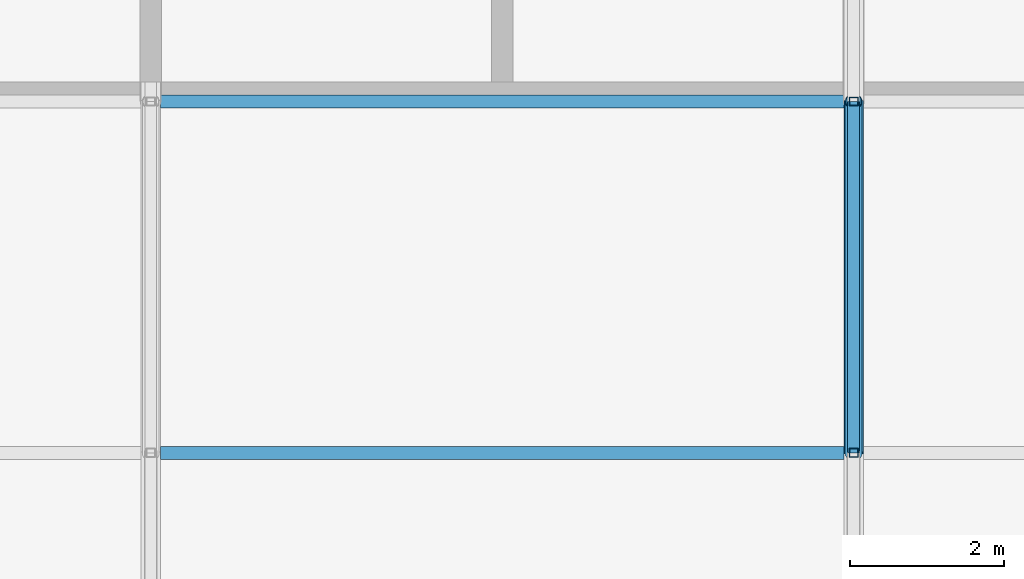
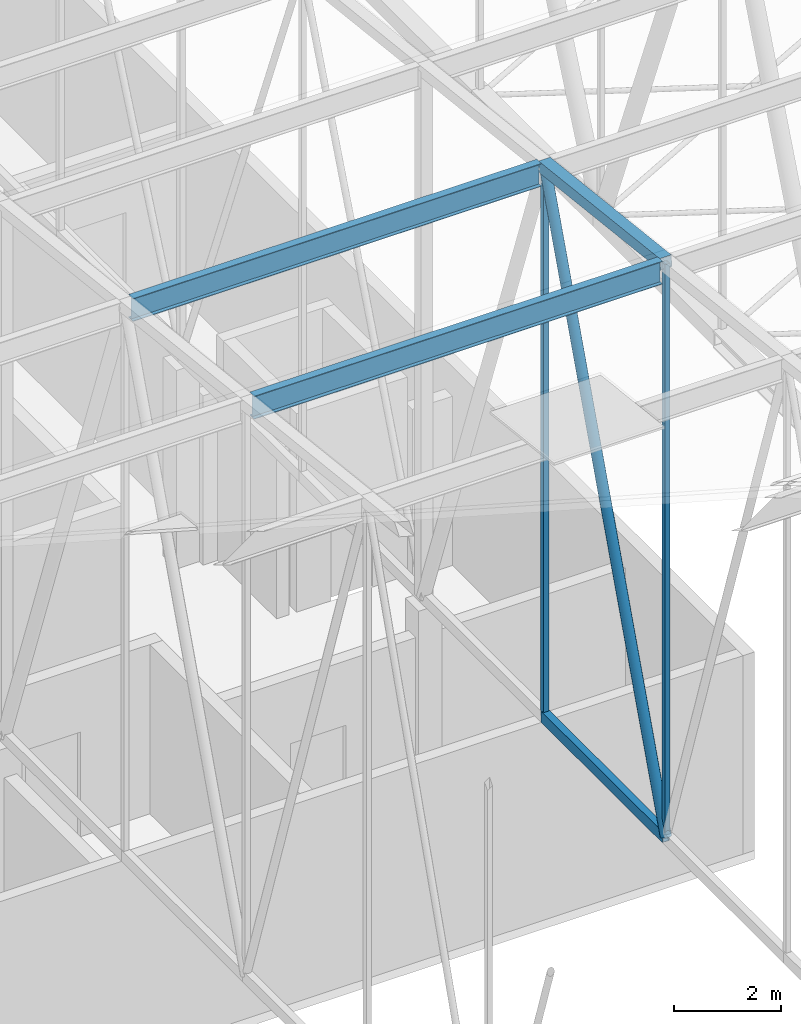
# One storey, part 198 of 500: 7 members.
"""IFC4 building model written with IfcOpenShell, lengths in metres."""

from ifc_helpers import new_model, si_unit, direction, frame, origin, origin_2d, place, context, subcontext, project, spatial, hollow_rectangle, hollow_circle, i_section, extrude, material, material_profile, profile_set, type_object, element, save


model = new_model("IFC4")

# Units and contexts
model_context = context("Model", 3, precision=1e-05, world=origin(), true_north=direction((0.0, 1.0)))
body_context = subcontext(model_context, "Body", "Model", "MODEL_VIEW")
ifc_project = project(units=[si_unit("LENGTHUNIT", "METRE"), si_unit("AREAUNIT", "SQUARE_METRE"), si_unit("VOLUMEUNIT", "CUBIC_METRE"), si_unit("PLANEANGLEUNIT", "RADIAN"), si_unit("MASSUNIT", "GRAM", prefix="KILO")], contexts=[model_context])

# Site, building, storey
site_placement = place(None, origin())
site = spatial("IfcSite", under=ifc_project, at=site_placement, CompositionType="ELEMENT")
building_placement = place(site_placement, origin())
building = spatial("IfcBuilding", under=site, at=building_placement, Name="Shirokan Park Arena", CompositionType="ELEMENT")
storey_placement = place(building_placement, frame((0.0, 0.0, 29.1201171875)))
storey = spatial("IfcBuildingStorey", under=building, at=storey_placement, Name="L06", CompositionType="ELEMENT", Elevation=29.1201171875)

# Members
ifc_material_1 = material(Name="Steel ASTM A500 Grade C", Category="steel")
ifc_material_profile_1 = material_profile(ifc_material_1, hollow_rectangle(XDim=0.152099609375, YDim=0.25390625, WallThickness=0.009521484375, at=origin_2d()), Name="HSS254X152.4X9.5")
ifc_profile_set_1 = profile_set([ifc_material_profile_1], Name="Steel ASTM A500 Grade C")
member_type_1 = type_object("IfcMemberType", Name="Bottom chord HSS254X152.4X9.5", PredefinedType="CHORD", material=ifc_profile_set_1)
member_1_placement = place(storey_placement, frame((36.39990234375, 63.699951171875, 4.677001953125), z_axis=(0.0, 1.0, 0.0), x_axis=(-1.0, 0.0, 0.0)))
element("IfcMember", 1, at=member_1_placement, inside=storey, type_object=member_type_1, Name="Truss T05 bottom chord 17", PredefinedType="CHORD", context=body_context, shape_type="SweptSolid", body=[
    extrude(hollow_rectangle(XDim=0.152099609375, YDim=0.25390625, WallThickness=0.009521484375, at=origin_2d()), origin(), (0.0, 0.0, 1.0), 4.550048828125),
])
ifc_material_2 = material(Name="Steel ASTM A992", Category="steel")
ifc_material_profile_2 = material_profile(ifc_material_2, i_section(OverallWidth=0.166015625, OverallDepth=0.528076171875, WebThickness=0.009765625, FlangeThickness=0.013671875, at=origin_2d()), Name="W530X74")
ifc_profile_set_2 = profile_set([ifc_material_profile_2], Name="Steel ASTM A992")
member_type_2 = type_object("IfcMemberType", Name="Purlin W530X74", PredefinedType="PURLIN", material=ifc_profile_set_2)
for number, where, z_axis, x_axis, name in (
    (2, (27.427001953125, 63.699951171875, 17.685791015625), (1.0, 0.0, 0.0), (0.0, 1.0, 0.0), "Purlin 17 bay 4"),
    (3, (27.427001953125, 68.25, 17.165771484375), (1.0, 0.0, 0.0), (0.0, 1.0, 0.0), "Purlin 18 bay 4"),
):
    element("IfcMember", number, at=place(storey_placement, frame(where, z_axis=z_axis, x_axis=x_axis)), inside=storey, type_object=member_type_2, Name=name, PredefinedType="PURLIN", context=body_context, shape_type="SweptSolid", body=[
        extrude(i_section(OverallWidth=0.166015625, OverallDepth=0.528076171875, WebThickness=0.009765625, FlangeThickness=0.013671875, at=origin_2d()), origin(), (0.0, 0.0, 1.0), 8.845947265625),
    ])
ifc_material_profile_3 = material_profile(ifc_material_1, hollow_rectangle(XDim=0.25390625, YDim=0.25390625, WallThickness=0.009521484375, at=origin_2d()), Name="HSS254X254X9.5")
ifc_profile_set_3 = profile_set([ifc_material_profile_3], Name="Steel ASTM A500 Grade C")
member_type_3 = type_object("IfcMemberType", Name="Top chord HSS254X254X9.5", PredefinedType="CHORD", material=ifc_profile_set_3)
member_2_placement = place(storey_placement, frame((36.39990234375, 63.699951171875, 17.822998046875), z_axis=(0.0, 0.993532328996, -0.113549598152), x_axis=(-1.0, 0.0, 0.0)))
element("IfcMember", 4, at=member_2_placement, inside=storey, type_object=member_type_3, Name="Truss T05 top chord 17", PredefinedType="CHORD", context=body_context, shape_type="SweptSolid", body=[
    extrude(hollow_rectangle(XDim=0.25390625, YDim=0.25390625, WallThickness=0.009521484375, at=origin_2d()), origin(), (0.0, 0.0, 1.0), 4.57958984375),
])
ifc_material_profile_4 = material_profile(ifc_material_1, hollow_circle(Radius=0.109619140625, WallThickness=0.009521484375, at=origin_2d()), Name="HSS219.1X9.5")
ifc_profile_set_4 = profile_set([ifc_material_profile_4], Name="Steel ASTM A500 Grade C")
member_type_4 = type_object("IfcMemberType", Name="Truss diagonal HSS219.1X9.5", PredefinedType="BRACE", material=ifc_profile_set_4)
member_3_placement = place(storey_placement, frame((36.39990234375, 63.699951171875, 4.677001953125), z_axis=(0.0, 0.339029292845, 0.940775817394), x_axis=(-1.0, 0.0, 0.0)))
element("IfcMember", 5, at=member_3_placement, inside=storey, type_object=member_type_4, Name="Truss T05 diagonal 17", PredefinedType="BRACE", context=body_context, shape_type="SweptSolid", body=[
    extrude(hollow_circle(Radius=0.109619140625, WallThickness=0.009521484375, at=origin_2d()), origin(), (0.0, 0.0, 1.0), 13.4208984375),
])
ifc_material_profile_5 = material_profile(ifc_material_1, hollow_rectangle(XDim=0.114013671875, YDim=0.114013671875, WallThickness=0.00634765625, at=origin_2d()), Name="HSS114.3X114.3X6.4")
ifc_profile_set_5 = profile_set([ifc_material_profile_5], Name="Steel ASTM A500 Grade C")
member_type_5 = type_object("IfcMemberType", Name="Truss post HSS114.3X114.3X6.4", PredefinedType="POST", material=ifc_profile_set_5)
member_4_placement = place(storey_placement, frame((36.39990234375, 63.699951171875, 4.677001953125), z_axis=(0.0, 0.0, 1.0), x_axis=(1.0, 0.0, 0.0)))
element("IfcMember", 6, at=member_4_placement, inside=storey, type_object=member_type_5, Name="Truss T05 post 17", PredefinedType="POST", context=body_context, shape_type="SweptSolid", body=[
    extrude(hollow_rectangle(XDim=0.114013671875, YDim=0.114013671875, WallThickness=0.00634765625, at=origin_2d()), origin(), (0.0, 0.0, 1.0), 13.14599609375),
])
member_5_placement = place(storey_placement, frame((36.39990234375, 68.25, 4.677001953125), z_axis=(0.0, 0.0, 1.0), x_axis=(1.0, 0.0, 0.0)))
element("IfcMember", 7, at=member_5_placement, inside=storey, type_object=member_type_5, Name="Truss T05 post 18", PredefinedType="POST", context=body_context, shape_type="SweptSolid", body=[
    extrude(hollow_rectangle(XDim=0.114013671875, YDim=0.114013671875, WallThickness=0.00634765625, at=origin_2d()), origin(), (0.0, 0.0, 1.0), 12.6259765625),
])

save(model, "model.ifc")
